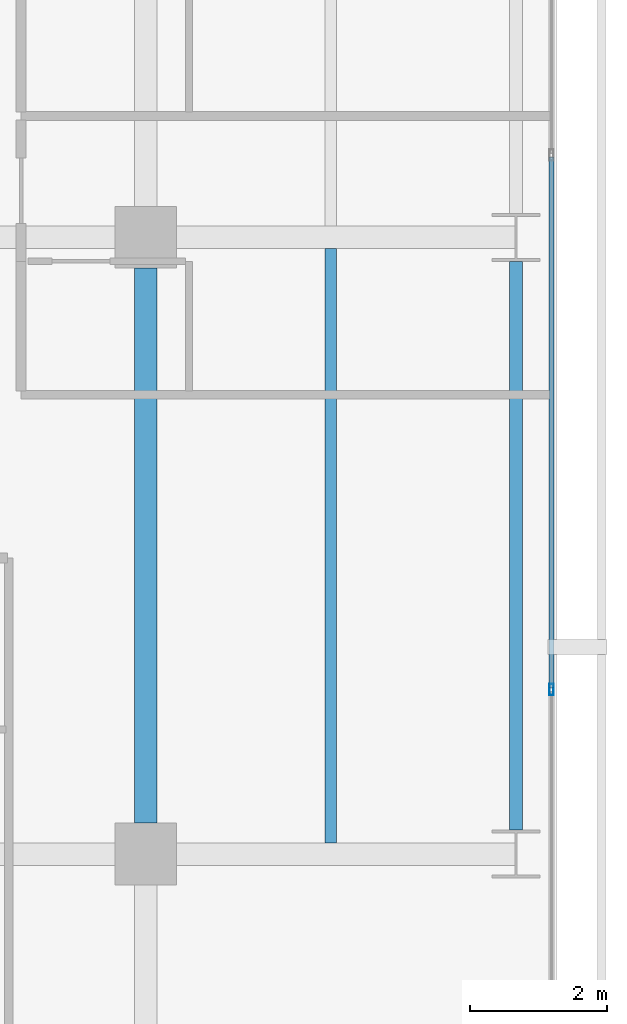
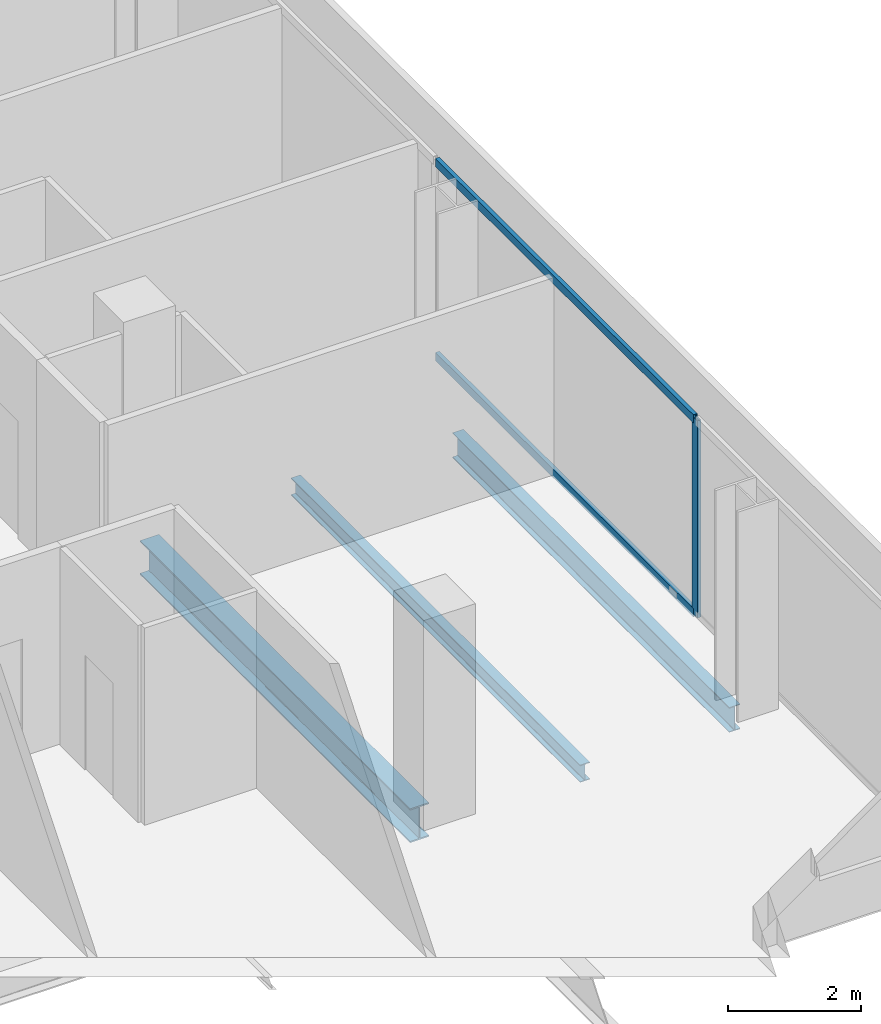
# One storey, part 17 of 40: 3 beams, 3 members, 1 element without a shape of its own.
"""IFC4 building model written with IfcOpenShell, lengths in metres."""

from ifc_helpers import new_model, si_unit, direction, frame, origin, origin_2d, place, context, subcontext, project, spatial, hollow_rectangle, i_section, extrude, material, layer, layer_set, material_profile, profile_set, type_object, element, aggregate, save


model = new_model("IFC4")

# Units and contexts
model_context = context("Model", 3, precision=1e-05, world=origin(), true_north=direction((0.0, 1.0)))
body_context = subcontext(model_context, "Body", "Model", "MODEL_VIEW")
ifc_project = project(units=[si_unit("LENGTHUNIT", "METRE"), si_unit("AREAUNIT", "SQUARE_METRE"), si_unit("VOLUMEUNIT", "CUBIC_METRE"), si_unit("PLANEANGLEUNIT", "RADIAN"), si_unit("MASSUNIT", "GRAM", prefix="KILO")], contexts=[model_context])

# Site, building, storey
site_placement = place(None, origin())
site = spatial("IfcSite", under=ifc_project, at=site_placement, CompositionType="ELEMENT")
building_placement = place(site_placement, origin())
building = spatial("IfcBuilding", under=site, at=building_placement, Name="Maruvema Waterfront Hotel and Observation Tower", CompositionType="ELEMENT")
storey_placement = place(building_placement, frame((0.0, 0.0, 57.75)))
storey = spatial("IfcBuildingStorey", under=building, at=storey_placement, Name="L13", CompositionType="ELEMENT", Elevation=57.75)

# Curtain wall, members
ifc_material_1 = material(Name="Anodised bronze aluminium and solar-control low-E IGU", Category="aluminium")
ifc_layer = layer(ifc_material_1, 0.159912109375, Name="Zone 1 Bronze Inner Thermal Curtain Wall System CW-02")
ifc_layer_set = layer_set([ifc_layer], Name="Anodised bronze aluminium and solar-control low-E IGU")
curtain_wall_type = type_object("IfcCurtainWallType", Name="Zone 1 Bronze Inner Thermal Curtain Wall System CW-02", PredefinedType="USERDEFINED", material=ifc_layer_set)
curtain_wall_placement = place(storey_placement, origin())
curtain_wall = element("IfcCurtainWall", 1, at=curtain_wall_placement, inside=storey, type_object=curtain_wall_type, Name="L13 Curtain Wall CW-L13-E", ObjectType="UNITISED CURTAIN WALL", PredefinedType="USERDEFINED")
ifc_material_2 = material(Name="Anodised architectural bronze aluminium", Category="aluminium")
ifc_material_profile_1 = material_profile(ifc_material_2, hollow_rectangle(XDim=0.070068359375, YDim=0.14990234375, WallThickness=0.00390625, at=origin_2d()), Name="ALU-T70x150")
ifc_profile_set_1 = profile_set([ifc_material_profile_1], Name="Anodised architectural bronze aluminium")
member_type_1 = type_object("IfcMemberType", Name="Curtain Wall Horizontal Transom ALU-T70x150", PredefinedType="USERDEFINED", material=ifc_profile_set_1)
member_1_placement = place(storey_placement, frame((64.719970703125, 11.429931640625, 0.030029296875), z_axis=(0.0, 1.0, 0.0), x_axis=(-1.0, 0.0, 0.0)))
member_1 = element("IfcMember", 2, at=member_1_placement, type_object=member_type_1, Name="CW-02 transom 2.1", ObjectType="TRANSOM", PredefinedType="USERDEFINED", context=body_context, shape_type="SweptSolid", body=[
    extrude(hollow_rectangle(XDim=0.070068359375, YDim=0.14990234375, WallThickness=0.00390625, at=origin_2d()), origin(), (0.0, 0.0, 1.0), 7.739990234375),
])
member_2_placement = place(storey_placement, frame((64.719970703125, 11.429931640625, 3.580078125), z_axis=(0.0, 1.0, 0.0), x_axis=(-1.0, 0.0, 0.0)))
member_2 = element("IfcMember", 3, at=member_2_placement, type_object=member_type_1, Name="CW-02 transom 2.2", ObjectType="TRANSOM", PredefinedType="USERDEFINED", context=body_context, shape_type="SweptSolid", body=[
    extrude(hollow_rectangle(XDim=0.070068359375, YDim=0.14990234375, WallThickness=0.00390625, at=origin_2d()), origin(), (0.0, 0.0, 1.0), 7.739990234375),
])
ifc_material_3 = material(Name="Anodised architectural bronze aluminium", Category="aluminium")
ifc_material_profile_2 = material_profile(ifc_material_3, hollow_rectangle(XDim=0.06494140625, YDim=0.1650390625, WallThickness=0.00390625, at=origin_2d()), Name="ALU-M65x165")
ifc_profile_set_2 = profile_set([ifc_material_profile_2], Name="Anodised architectural bronze aluminium")
member_type_2 = type_object("IfcMemberType", Name="Curtain Wall Primary Mullion ALU-M65x165", PredefinedType="MULLION", material=ifc_profile_set_2)
member_3_placement = place(storey_placement, frame((64.719970703125, 11.39990234375, 0.0), z_axis=(0.0, 0.0, 1.0), x_axis=(-1.0, 0.0, 0.0)))
member_3 = element("IfcMember", 4, at=member_3_placement, type_object=member_type_2, Name="CW-02 mullion 2", PredefinedType="MULLION", context=body_context, shape_type="SweptSolid", body=[
    extrude(hollow_rectangle(XDim=0.06494140625, YDim=0.1650390625, WallThickness=0.00390625, at=origin_2d()), origin(), (0.0, 0.0, 1.0), 3.610107421875),
])
aggregate(curtain_wall, [member_3, member_1, member_2])

# Beams
ifc_material_4 = material(Name="Steel ASTM A572 Grade 50", Category="steel")
ifc_material_profile_3 = material_profile(ifc_material_4, i_section(OverallWidth=0.18994140625, OverallDepth=0.45703125, WebThickness=0.009033203125, FlangeThickness=0.014404296875, FilletRadius=0.014892578125, at=origin_2d()), Name="W460x74.0")
ifc_profile_set_3 = profile_set([ifc_material_profile_3], Name="Steel ASTM A572 Grade 50")
beam_type_1 = type_object("IfcBeamType", Name="Perimeter Spandrel Beam W460x74.0", PredefinedType="SPANDREL", material=ifc_profile_set_3)
beam_1_placement = place(storey_placement, frame((64.199951171875, 9.35009765625, -0.468505859375), z_axis=(0.0, 1.0, 0.0), x_axis=(-1.0, 0.0, 0.0)))
element("IfcBeam", 5, at=beam_1_placement, inside=storey, type_object=beam_type_1, Name="L13 Floor Girder NS-33", PredefinedType="SPANDREL", context=body_context, shape_type="SweptSolid", body=[
    extrude(i_section(OverallWidth=0.18994140625, OverallDepth=0.45703125, WebThickness=0.009033203125, FlangeThickness=0.014404296875, FilletRadius=0.014892578125, at=origin_2d()), origin(), (0.0, 0.0, 1.0), 8.2998046875),
])
ifc_material_5 = material(Name="Steel ASTM A572 Grade 50", Category="steel")
ifc_material_profile_4 = material_profile(ifc_material_5, i_section(OverallWidth=0.326904296875, OverallDepth=0.6220703125, WebThickness=0.015380859375, FlangeThickness=0.0244140625, FilletRadius=0.01806640625, at=origin_2d()), Name="W610x195.0")
ifc_profile_set_4 = profile_set([ifc_material_profile_4], Name="Steel ASTM A572 Grade 50")
beam_type_2 = type_object("IfcBeamType", Name="Primary Floor Girder W610x195.0", PredefinedType="BEAM", material=ifc_profile_set_4)
beam_2_placement = place(storey_placement, frame((58.800048828125, 9.449951171875, -0.551025390625), z_axis=(0.0, 1.0, 0.0), x_axis=(-1.0, 0.0, 0.0)))
element("IfcBeam", 6, at=beam_2_placement, inside=storey, type_object=beam_type_2, Name="L13 Floor Girder NS-28", PredefinedType="BEAM", context=body_context, shape_type="SweptSolid", body=[
    extrude(i_section(OverallWidth=0.326904296875, OverallDepth=0.6220703125, WebThickness=0.015380859375, FlangeThickness=0.0244140625, FilletRadius=0.01806640625, at=origin_2d()), origin(), (0.0, 0.0, 1.0), 8.10009765625),
])
ifc_material_6 = material(Name="Steel ASTM A572 Grade 50", Category="steel")
ifc_material_profile_5 = material_profile(ifc_material_6, i_section(OverallWidth=0.1669921875, OverallDepth=0.31689453125, WebThickness=0.007568359375, FlangeThickness=0.01318359375, FilletRadius=0.012939453125, at=origin_2d()), Name="W310x52.0")
ifc_profile_set_5 = profile_set([ifc_material_profile_5], Name="Steel ASTM A572 Grade 50")
beam_type_3 = type_object("IfcBeamType", Name="Secondary Floor Joist W310x52.0", PredefinedType="JOIST", material=ifc_profile_set_5)
beam_3_placement = place(storey_placement, frame((61.5, 9.16357421875, -0.3984375), z_axis=(0.0, 1.0, 0.0), x_axis=(-1.0, 0.0, 0.0)))
element("IfcBeam", 7, at=beam_3_placement, inside=storey, type_object=beam_type_3, Name="L13 Secondary Floor Joist JS-21", PredefinedType="JOIST", context=body_context, shape_type="SweptSolid", body=[
    extrude(i_section(OverallWidth=0.1669921875, OverallDepth=0.31689453125, WebThickness=0.007568359375, FlangeThickness=0.01318359375, FilletRadius=0.012939453125, at=origin_2d()), origin(), (0.0, 0.0, 1.0), 8.6728515625),
])

save(model, "model.ifc")
